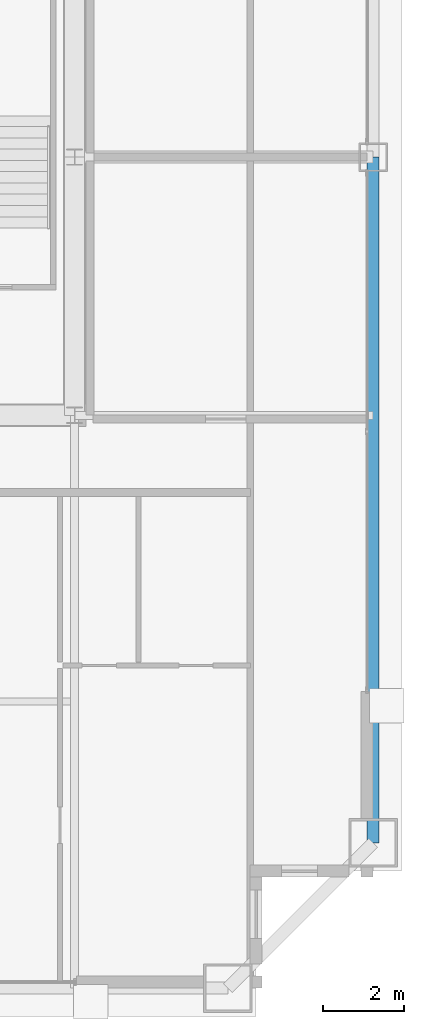
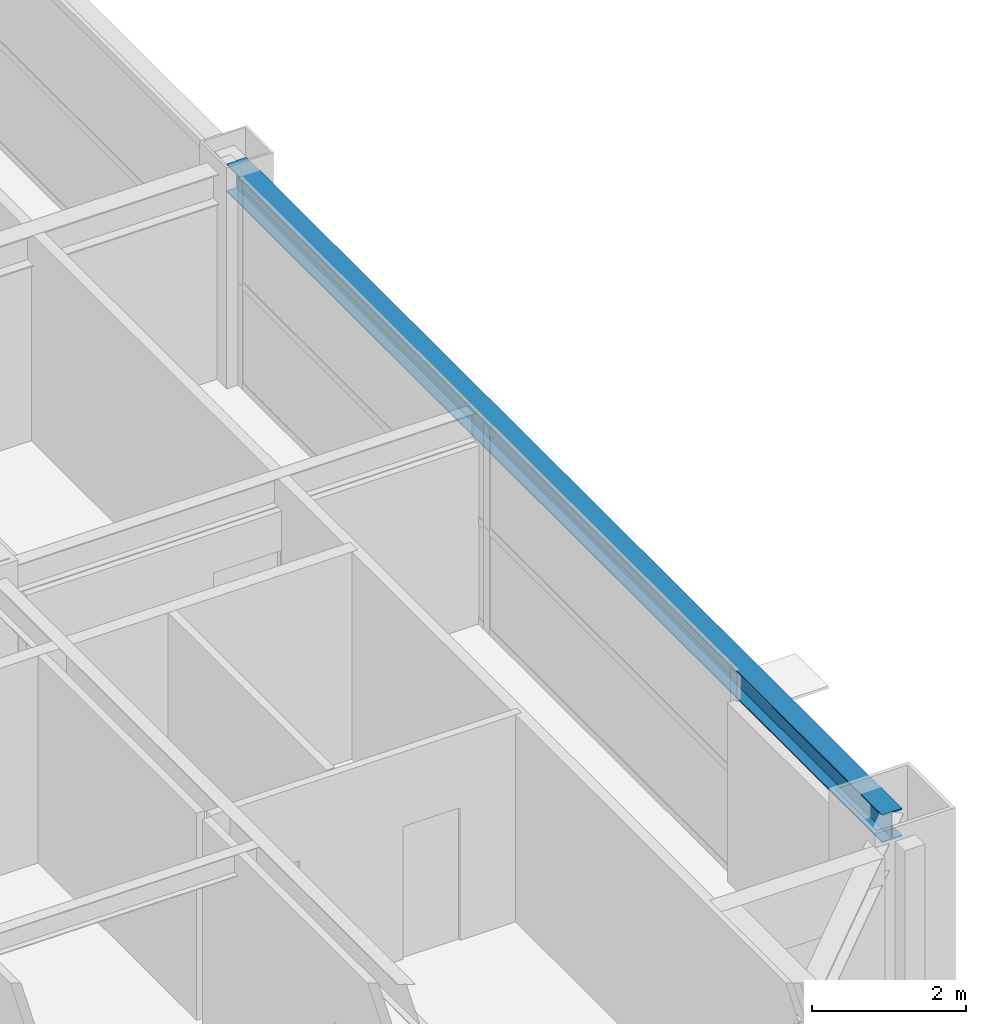
# One storey, part 18 of 36: 1 beam.
"""IFC4 building model written with IfcOpenShell, lengths in metres."""

from ifc_helpers import new_model, si_unit, direction, frame, origin, origin_2d, place, context, subcontext, project, spatial, i_section, extrude, source, transform, mapped, material, material_profile, profile_set, type_object, element, save


model = new_model("IFC4")

# Units and contexts
model_context = context("Model", 3, precision=1e-05, world=origin(), true_north=direction((0.0, 1.0)))
body_context = subcontext(model_context, "Body", "Model", "MODEL_VIEW")
ifc_project = project(units=[si_unit("LENGTHUNIT", "METRE"), si_unit("AREAUNIT", "SQUARE_METRE"), si_unit("VOLUMEUNIT", "CUBIC_METRE"), si_unit("PLANEANGLEUNIT", "RADIAN"), si_unit("MASSUNIT", "GRAM", prefix="KILO"), si_unit("THERMODYNAMICTEMPERATUREUNIT", "KELVIN"), si_unit("POWERUNIT", "WATT")], contexts=[model_context])

# Site, building, storey
site_placement = place(None, origin())
site = spatial("IfcSite", under=ifc_project, at=site_placement, CompositionType="ELEMENT")
building_placement = place(site_placement, origin())
building = spatial("IfcBuilding", under=site, at=building_placement, Name="Yuzanri Waterfront Tower", CompositionType="ELEMENT")
storey_placement = place(building_placement, frame((0.0, 0.0, 224.10009765625)))
storey = spatial("IfcBuildingStorey", under=building, at=storey_placement, Name="L59", CompositionType="ELEMENT", Elevation=224.10009765625)

# Beam
ifc_material = material(Name="Steel Q355B", Category="steel")
ifc_material_profile = material_profile(ifc_material, i_section(OverallWidth=0.300048828125, OverallDepth=0.43994140625, WebThickness=0.010986328125, FlangeThickness=0.01806640625, at=origin_2d()), Name="HM 440x300x11x18")
ifc_profile_set = profile_set([ifc_material_profile], Name="Steel Q355B")
beam_type = type_object("IfcBeamType", Name="Perimeter Spandrel Q355B HM 440x300", PredefinedType="SPANDREL", material=ifc_profile_set)
shared_shape = source(origin(), body_context, "Body", "SweptSolid", [
    extrude(i_section(OverallWidth=0.300048828125, OverallDepth=0.43994140625, WebThickness=0.010986328125, FlangeThickness=0.01806640625, at=origin_2d()), origin(), (0.0, 0.0, 1.0), 17.0),
])
beam_placement = place(storey_placement, frame((57.60009765625, 8.800048828125, 3.059814453125), z_axis=(0.0, 1.0, 0.0), x_axis=(-1.0, 0.0, 0.0)))
element("IfcBeam", 1, at=beam_placement, inside=storey, type_object=beam_type, Name="L59 Perimeter Spandrel E1-E2", PredefinedType="SPANDREL", context=body_context, shape_type="MappedRepresentation", body=[
    mapped(shared_shape, transform((0.0, 0.0, 0.0), scale=1.0)),
])

save(model, "model.ifc")
